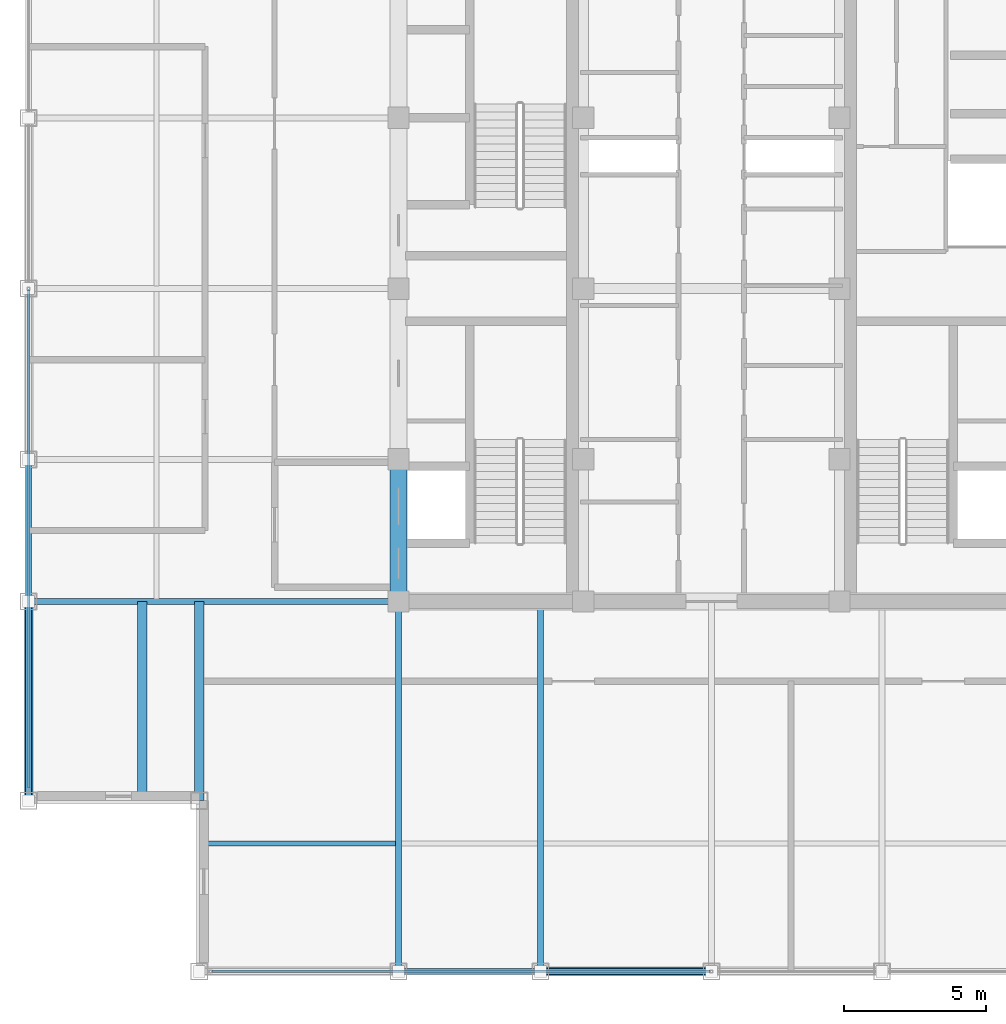
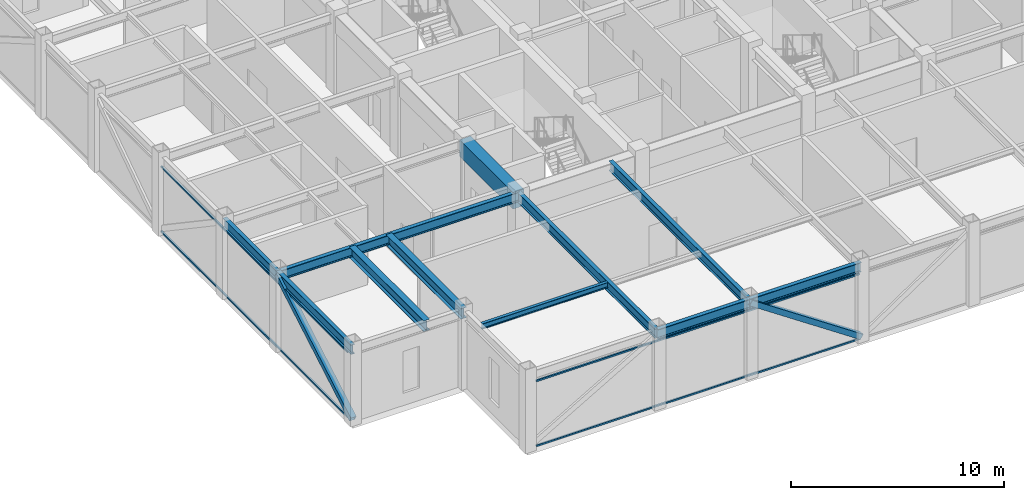
# One storey, part 3 of 27: 11 beams, 6 members, 2 elements without a shape of their own.
"""IFC4 building model written with IfcOpenShell, lengths in metres."""

from ifc_helpers import new_model, si_unit, direction, frame, origin, origin_2d, place, context, subcontext, project, spatial, rectangle, hollow_rectangle, i_section, extrude, source, transform, mapped, material, material_profile, profile_set, type_object, element, aggregate, save


model = new_model("IFC4")

# Units and contexts
model_context = context("Model", 3, precision=1e-05, world=origin(), true_north=direction((0.0, 1.0)))
body_context = subcontext(model_context, "Body", "Model", "MODEL_VIEW")
ifc_project = project(units=[si_unit("LENGTHUNIT", "METRE"), si_unit("AREAUNIT", "SQUARE_METRE"), si_unit("VOLUMEUNIT", "CUBIC_METRE"), si_unit("PLANEANGLEUNIT", "RADIAN"), si_unit("MASSUNIT", "GRAM", prefix="KILO")], contexts=[model_context])

# Site, building, storey
site_placement = place(None, origin())
site = spatial("IfcSite", under=ifc_project, at=site_placement, CompositionType="ELEMENT")
building_placement = place(site_placement, origin())
building = spatial("IfcBuilding", under=site, at=building_placement, Name="Khorayat Bourse Tower", CompositionType="ELEMENT")
storey_placement = place(building_placement, frame((0.0, 0.0, 389.89990234375)))
storey = spatial("IfcBuildingStorey", under=building, at=storey_placement, Name="L92", CompositionType="ELEMENT", Elevation=389.89990234375)

# Beams
ifc_material_1 = material(Name="Concrete C60/75", Category="concrete")
ifc_material_profile_1 = material_profile(ifc_material_1, rectangle(XDim=0.60009765625, YDim=0.949951171875, at=origin_2d()), Name="RC 600x950")
ifc_profile_set_1 = profile_set([ifc_material_profile_1], Name="Concrete C60/75")
beam_type_1 = type_object("IfcBeamType", Name="BM-COUP-950", PredefinedType="BEAM", material=ifc_profile_set_1)
shared_shape_1 = source(origin(), body_context, "Body", "SweptSolid", [
    extrude(rectangle(XDim=0.60009765625, YDim=0.949951171875, at=origin_2d()), origin(), (0.0, 0.0, 1.0), 5.0),
])
beam_1_placement = place(storey_placement, frame((-11.0, -11.0, 3.97509765625), z_axis=(0.0, 1.0, 0.0), x_axis=(-1.0, 0.0, 0.0)))
element("IfcBeam", 1, at=beam_1_placement, inside=storey, type_object=beam_type_1, Name="L92 BM-COUP-950 BM-L92-CRX-01", PredefinedType="BEAM", context=body_context, shape_type="MappedRepresentation", body=[
    mapped(shared_shape_1, transform((0.0, 0.0, 0.0), scale=1.0)),
])
ifc_material_2 = material(Name="Steel ASTM A992 Grade 50", Category="steel")
ifc_material_profile_2 = material_profile(ifc_material_2, i_section(OverallWidth=0.214111328125, OverallDepth=0.549072265625, WebThickness=0.0146484375, FlangeThickness=0.023681640625, FilletRadius=0.013916015625, at=origin_2d()), Name="W530X138")
ifc_profile_set_2 = profile_set([ifc_material_profile_2], Name="Steel ASTM A992 Grade 50")
beam_type_2 = type_object("IfcBeamType", Name="BM-SPAN-530", PredefinedType="SPANDREL", material=ifc_profile_set_2)
shared_shape_2 = source(origin(), body_context, "Body", "SweptSolid", [
    extrude(i_section(OverallWidth=0.214111328125, OverallDepth=0.549072265625, WebThickness=0.0146484375, FlangeThickness=0.023681640625, FilletRadius=0.013916015625, at=origin_2d()), origin(), (0.0, 0.0, 1.0), 5.0),
])
for number, where, z_axis, x_axis, name in (
    (2, (-11.0, -24.0, 4.175537109375), (1.0, 0.0, 0.0), (0.0, 1.0, 0.0), "L92 BM-SPAN-530 BM-L92-SPN-025"),
    (3, (-24.0, -11.0, 4.175537109375), (0.0, 1.0, 0.0), (-1.0, 0.0, 0.0), "L92 BM-SPAN-530 BM-L92-SPN-052"),
):
    element("IfcBeam", number, at=place(storey_placement, frame(where, z_axis=z_axis, x_axis=x_axis)), inside=storey, type_object=beam_type_2, Name=name, PredefinedType="SPANDREL", context=body_context, shape_type="MappedRepresentation", body=[
        mapped(shared_shape_2, transform((0.0, 0.0, 0.0), scale=1.0)),
    ])
shared_shape_3 = source(origin(), body_context, "Body", "SweptSolid", [
    extrude(i_section(OverallWidth=0.214111328125, OverallDepth=0.549072265625, WebThickness=0.0146484375, FlangeThickness=0.023681640625, FilletRadius=0.013916015625, at=origin_2d()), origin(), (0.0, 0.0, 1.0), 6.0),
])
beam_2_placement = place(storey_placement, frame((-6.0, -24.0, 4.175537109375), z_axis=(1.0, 0.0, 0.0), x_axis=(0.0, 1.0, 0.0)))
element("IfcBeam", 4, at=beam_2_placement, inside=storey, type_object=beam_type_2, Name="L92 BM-SPAN-530 BM-L92-SPN-026", PredefinedType="SPANDREL", context=body_context, shape_type="MappedRepresentation", body=[
    mapped(shared_shape_3, transform((0.0, 0.0, 0.0), scale=1.0)),
])
shared_shape_4 = source(origin(), body_context, "Body", "SweptSolid", [
    extrude(i_section(OverallWidth=0.214111328125, OverallDepth=0.549072265625, WebThickness=0.0146484375, FlangeThickness=0.023681640625, FilletRadius=0.013916015625, at=origin_2d()), origin(), (0.0, 0.0, 1.0), 7.0),
])
beam_3_placement = place(storey_placement, frame((-24.0, -18.0, 4.175537109375), z_axis=(0.0, 1.0, 0.0), x_axis=(-1.0, 0.0, 0.0)))
element("IfcBeam", 5, at=beam_3_placement, inside=storey, type_object=beam_type_2, Name="L92 BM-SPAN-530 BM-L92-SPN-053", PredefinedType="SPANDREL", context=body_context, shape_type="MappedRepresentation", body=[
    mapped(shared_shape_4, transform((0.0, 0.0, 0.0), scale=1.0)),
])
ifc_material_profile_3 = material_profile(ifc_material_2, i_section(OverallWidth=0.214111328125, OverallDepth=0.549072265625, WebThickness=0.0146484375, FlangeThickness=0.023681640625, FilletRadius=0.013916015625, at=origin_2d()), Name="W530X138")
ifc_profile_set_3 = profile_set([ifc_material_profile_3], Name="Steel ASTM A992 Grade 50")
beam_type_3 = type_object("IfcBeamType", Name="BM-GIRD-530", PredefinedType="BEAM", material=ifc_profile_set_3)
shared_shape_5 = source(origin(), body_context, "Body", "SweptSolid", [
    extrude(i_section(OverallWidth=0.214111328125, OverallDepth=0.549072265625, WebThickness=0.0146484375, FlangeThickness=0.023681640625, FilletRadius=0.013916015625, at=origin_2d()), origin(), (0.0, 0.0, 1.0), 13.0),
])
for number, where, z_axis, x_axis, name in (
    (6, (-11.0, -24.0, 4.175537109375), (0.0, 1.0, 0.0), (-1.0, 0.0, 0.0), "L92 BM-GIRD-530 BM-L92-RADY-057"),
    (7, (-6.0, -24.0, 4.175537109375), (0.0, 1.0, 0.0), (-1.0, 0.0, 0.0), "L92 BM-GIRD-530 BM-L92-RADY-059"),
    (8, (-24.0, -11.0, 4.175537109375), (1.0, 0.0, 0.0), (0.0, 1.0, 0.0), "L92 BM-GIRD-530 BM-L92-RADX-067"),
):
    element("IfcBeam", number, at=place(storey_placement, frame(where, z_axis=z_axis, x_axis=x_axis)), inside=storey, type_object=beam_type_3, Name=name, PredefinedType="BEAM", context=body_context, shape_type="MappedRepresentation", body=[
        mapped(shared_shape_5, transform((0.0, 0.0, 0.0), scale=1.0)),
    ])
ifc_material_profile_4 = material_profile(ifc_material_2, i_section(OverallWidth=0.324951171875, OverallDepth=0.615966796875, WebThickness=0.013916015625, FlangeThickness=0.021484375, FilletRadius=0.01611328125, at=origin_2d()), Name="W610X174")
ifc_profile_set_4 = profile_set([ifc_material_profile_4], Name="Steel ASTM A992 Grade 50")
beam_type_4 = type_object("IfcBeamType", Name="BM-GIRD-610", PredefinedType="BEAM", material=ifc_profile_set_4)
shared_shape_6 = source(origin(), body_context, "Body", "SweptSolid", [
    extrude(i_section(OverallWidth=0.324951171875, OverallDepth=0.615966796875, WebThickness=0.013916015625, FlangeThickness=0.021484375, FilletRadius=0.01611328125, at=origin_2d()), origin(), (0.0, 0.0, 1.0), 7.0),
])
for number, where, z_axis, x_axis, name in (
    (9, (-18.0, -18.0, 4.14208984375), (0.0, 1.0, 0.0), (-1.0, 0.0, 0.0), "L92 BM-GIRD-610 BM-L92-CNRY-076"),
    (10, (-20.0, -18.0, 4.14208984375), (0.0, 1.0, 0.0), (-1.0, 0.0, 0.0), "L92 BM-GIRD-610 BM-L92-CNRY-080"),
):
    element("IfcBeam", number, at=place(storey_placement, frame(where, z_axis=z_axis, x_axis=x_axis)), inside=storey, type_object=beam_type_4, Name=name, PredefinedType="BEAM", context=body_context, shape_type="MappedRepresentation", body=[
        mapped(shared_shape_6, transform((0.0, 0.0, 0.0), scale=1.0)),
    ])
ifc_material_profile_5 = material_profile(ifc_material_2, i_section(OverallWidth=0.1669921875, OverallDepth=0.31689453125, WebThickness=0.007568359375, FlangeThickness=0.01318359375, FilletRadius=0.010009765625, at=origin_2d()), Name="W310X52")
ifc_profile_set_5 = profile_set([ifc_material_profile_5], Name="Steel ASTM A992 Grade 50")
beam_type_5 = type_object("IfcBeamType", Name="BM-JOIST-310", PredefinedType="JOIST", material=ifc_profile_set_5)
shared_shape_7 = source(origin(), body_context, "Body", "SweptSolid", [
    extrude(i_section(OverallWidth=0.1669921875, OverallDepth=0.31689453125, WebThickness=0.007568359375, FlangeThickness=0.01318359375, FilletRadius=0.010009765625, at=origin_2d()), origin(), (0.0, 0.0, 1.0), 6.81005859375),
])
beam_4_placement = place(storey_placement, frame((-17.905029296875, -19.5, 4.29150390625), z_axis=(1.0, 0.0, 0.0), x_axis=(0.0, 1.0, 0.0)))
element("IfcBeam", 11, at=beam_4_placement, inside=storey, type_object=beam_type_5, Name="L92 BM-JOIST-310 BM-L92-JSTX-084", PredefinedType="JOIST", context=body_context, shape_type="MappedRepresentation", body=[
    mapped(shared_shape_7, transform((0.0, 0.0, 0.0), scale=1.0)),
])

# Members
ifc_material_3 = material(Name="Steel EN 10025-2 S355J2", Category="steel")
ifc_material_profile_6 = material_profile(ifc_material_3, hollow_rectangle(XDim=0.300048828125, YDim=0.300048828125, WallThickness=0.01611328125, at=origin_2d()), Name="HSS 300x300x16")
ifc_profile_set_6 = profile_set([ifc_material_profile_6], Name="Steel EN 10025-2 S355J2")
member_type_1 = type_object("IfcMemberType", Name="MBR-CROWN-300", PredefinedType="USERDEFINED", material=ifc_profile_set_6)
shared_shape_8 = source(origin(), body_context, "Body", "SweptSolid", [
    extrude(hollow_rectangle(XDim=0.300048828125, YDim=0.300048828125, WallThickness=0.01611328125, at=origin_2d()), origin(), (0.0, 0.0, 1.0), 8.087158203125),
])
member_1_placement = place(storey_placement, frame((-24.0, -18.0, 0.2001953125), z_axis=(0.0, 0.865577817, 0.500774442955), x_axis=(-1.0, 0.0, 0.0)))
element("IfcMember", 12, at=member_1_placement, inside=storey, type_object=member_type_1, Name="L92 Lantern Crown Frame Member 09", ObjectType="CROWN FRAME", PredefinedType="USERDEFINED", context=body_context, shape_type="MappedRepresentation", body=[
    mapped(shared_shape_8, transform((0.0, 0.0, 0.0), scale=1.0)),
])
shared_shape_9 = source(origin(), body_context, "Body", "SweptSolid", [
    extrude(hollow_rectangle(XDim=0.300048828125, YDim=0.300048828125, WallThickness=0.01611328125, at=origin_2d()), origin(), (0.0, 0.0, 1.0), 7.23876953125),
])
member_2_placement = place(storey_placement, frame((-6.0, -24.0, 4.25), z_axis=(0.828861185526, 0.0, -0.559454319072), x_axis=(0.0, 1.0, 0.0)))
element("IfcMember", 13, at=member_2_placement, inside=storey, type_object=member_type_1, Name="L92 Lantern Crown Frame Member 02", ObjectType="CROWN FRAME", PredefinedType="USERDEFINED", context=body_context, shape_type="MappedRepresentation", body=[
    mapped(shared_shape_9, transform((0.0, 0.0, 0.0), scale=1.0)),
])

# Curtain wall, members
ifc_material_4 = material(Name="Aluminium EN AW-6063 T6", Category="aluminium")
curtain_wall_type = type_object("IfcCurtainWallType", Name="CW-SYS-07", PredefinedType="NOTDEFINED", material=ifc_material_4)
curtain_wall_1_placement = place(storey_placement, origin())
curtain_wall_1 = element("IfcCurtainWall", 14, at=curtain_wall_1_placement, inside=storey, type_object=curtain_wall_type, Name="L92 Curtain Wall CW-L92-S1", PredefinedType="NOTDEFINED")
ifc_material_profile_7 = material_profile(ifc_material_4, hollow_rectangle(XDim=0.090087890625, YDim=0.090087890625, WallThickness=0.00390625, at=origin_2d()), Name="ALU 90x90x4")
ifc_profile_set_7 = profile_set([ifc_material_profile_7], Name="Aluminium EN AW-6063 T6")
member_type_2 = type_object("IfcMemberType", Name="CWT-HORZ-90", PredefinedType="USERDEFINED", material=ifc_profile_set_7)
shared_shape_10 = source(origin(), body_context, "Body", "SweptSolid", [
    extrude(hollow_rectangle(XDim=0.090087890625, YDim=0.090087890625, WallThickness=0.00390625, at=origin_2d()), origin(), (0.0, 0.0, 1.0), 17.5),
])
member_3_placement = place(storey_placement, frame((-17.550048828125, -24.0, 0.045166015625), z_axis=(1.0, 0.0, 0.0), x_axis=(0.0, 1.0, 0.0)))
member_3 = element("IfcMember", 15, at=member_3_placement, type_object=member_type_2, Name="CW-L92-S1 Horizontal Transom 1-1", ObjectType="TRANSOM", PredefinedType="USERDEFINED", context=body_context, shape_type="MappedRepresentation", body=[
    mapped(shared_shape_10, transform((0.0, 0.0, 0.0), scale=1.0)),
])
member_4_placement = place(storey_placement, frame((-17.550048828125, -24.0, 3.755126953125), z_axis=(1.0, 0.0, 0.0), x_axis=(0.0, 1.0, 0.0)))
member_4 = element("IfcMember", 16, at=member_4_placement, type_object=member_type_2, Name="CW-L92-S1 Horizontal Transom 1-2", ObjectType="TRANSOM", PredefinedType="USERDEFINED", context=body_context, shape_type="MappedRepresentation", body=[
    mapped(shared_shape_10, transform((0.0, 0.0, 0.0), scale=1.0)),
])
aggregate(curtain_wall_1, [member_3, member_4])

curtain_wall_2_placement = place(storey_placement, origin())
curtain_wall_2 = element("IfcCurtainWall", 17, at=curtain_wall_2_placement, inside=storey, type_object=curtain_wall_type, Name="L92 Curtain Wall CW-L92-W1", PredefinedType="NOTDEFINED")
member_5_placement = place(storey_placement, frame((-24.0, -17.550048828125, 0.045166015625), z_axis=(0.0, 1.0, 0.0), x_axis=(-1.0, 0.0, 0.0)))
member_5 = element("IfcMember", 18, at=member_5_placement, type_object=member_type_2, Name="CW-L92-W1 Horizontal Transom 1-1", ObjectType="TRANSOM", PredefinedType="USERDEFINED", context=body_context, shape_type="MappedRepresentation", body=[
    mapped(shared_shape_10, transform((0.0, 0.0, 0.0), scale=1.0)),
])
member_6_placement = place(storey_placement, frame((-24.0, -17.550048828125, 3.755126953125), z_axis=(0.0, 1.0, 0.0), x_axis=(-1.0, 0.0, 0.0)))
member_6 = element("IfcMember", 19, at=member_6_placement, type_object=member_type_2, Name="CW-L92-W1 Horizontal Transom 1-2", ObjectType="TRANSOM", PredefinedType="USERDEFINED", context=body_context, shape_type="MappedRepresentation", body=[
    mapped(shared_shape_10, transform((0.0, 0.0, 0.0), scale=1.0)),
])
aggregate(curtain_wall_2, [member_5, member_6])

save(model, "model.ifc")
